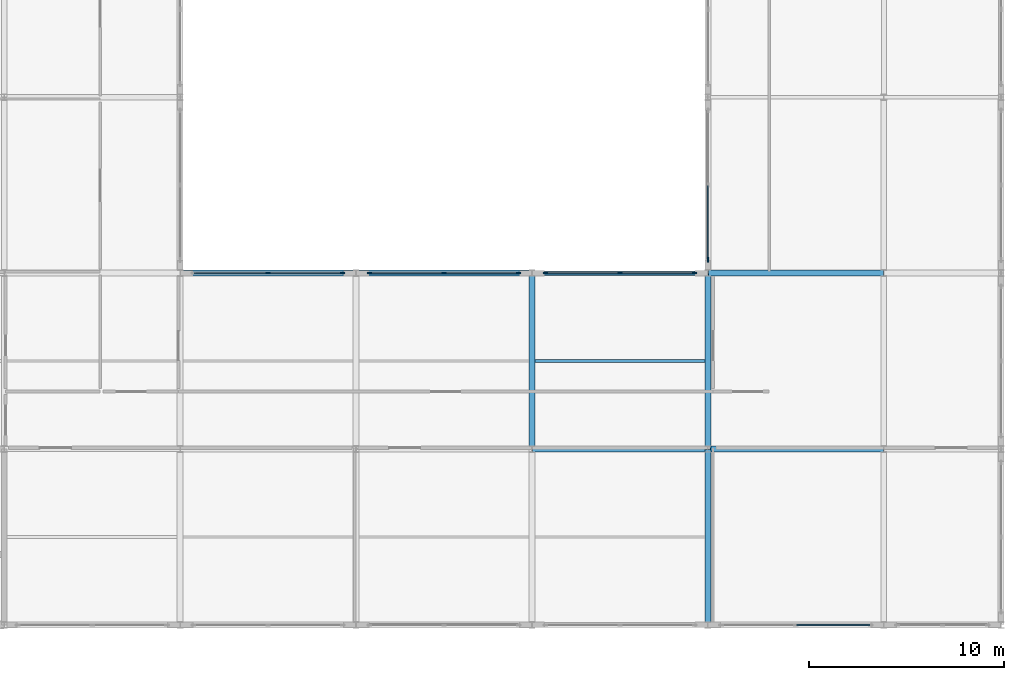
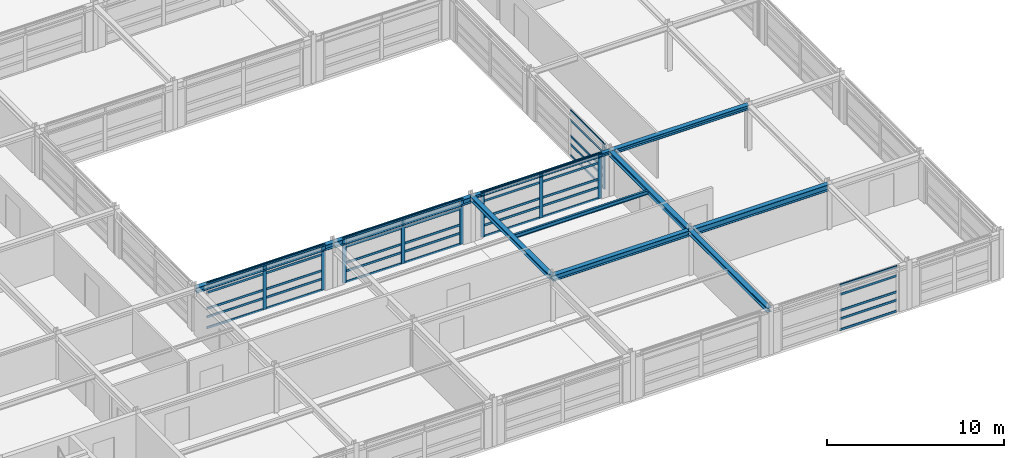
# One storey, part 50 of 91: 49 members, 10 beams, 5 elements without a shape of their own.
"""IFC4 building model written with IfcOpenShell, lengths in metres."""

from ifc_helpers import new_model, si_unit, direction, frame, origin, origin_2d, place, context, subcontext, project, spatial, rectangle, i_section, extrude, material, material_profile, profile_set, type_object, element, aggregate, save


model = new_model("IFC4")

# Units and contexts
model_context = context("Model", 3, precision=1e-05, world=origin(), true_north=direction((0.0, 1.0)))
body_context = subcontext(model_context, "Body", "Model", "MODEL_VIEW")
ifc_project = project(units=[si_unit("LENGTHUNIT", "METRE"), si_unit("AREAUNIT", "SQUARE_METRE"), si_unit("VOLUMEUNIT", "CUBIC_METRE"), si_unit("PLANEANGLEUNIT", "RADIAN"), si_unit("MASSUNIT", "GRAM", prefix="KILO")], contexts=[model_context])

# Site, building, storey
site_placement = place(None, origin())
site = spatial("IfcSite", under=ifc_project, at=site_placement, CompositionType="ELEMENT")
building_placement = place(site_placement, origin())
building = spatial("IfcBuilding", under=site, at=building_placement, Name="Palais des Congres Ocreval", CompositionType="ELEMENT")
storey_placement = place(building_placement, frame((0.0, 0.0, 8.159912109375)))
storey = spatial("IfcBuildingStorey", under=building, at=storey_placement, Name="L02", CompositionType="ELEMENT", Elevation=8.159912109375)

# Curtain wall, members
ifc_material_1 = material(Name="Anodized bronze aluminium and low-E glass", Category="glass")
curtain_wall_type = type_object("IfcCurtainWallType", Name="Unitised Curtain Wall 7900x3120", PredefinedType="USERDEFINED", material=ifc_material_1)
curtain_wall_1_placement = place(storey_placement, origin())
curtain_wall_1 = element("IfcCurtainWall", 1, at=curtain_wall_1_placement, inside=storey, type_object=curtain_wall_type, Name="Unitised Curtain Wall CW03 L02", ObjectType="UNITISED CURTAIN WALL", PredefinedType="USERDEFINED")
ifc_material_2 = material(Name="Anodized bronze aluminium", Category="aluminium")
ifc_material_profile_1 = material_profile(ifc_material_2, rectangle(XDim=0.074951171875, YDim=0.239990234375, at=origin_2d()), Name="ALU 75x240")
ifc_profile_set_1 = profile_set([ifc_material_profile_1], Name="Anodized bronze aluminium")
member_type_1 = type_object("IfcMemberType", Name="Curtain Wall Mullion ALU 75x240", PredefinedType="MULLION", material=ifc_profile_set_1)
member_1_placement = place(storey_placement, frame((130.5, 18.0, 0.0), z_axis=(0.0, 0.0, 1.0), x_axis=(0.0, 1.0, 0.0)))
member_1 = element("IfcMember", 2, at=member_1_placement, type_object=member_type_1, Name="Curtain Wall Mullion ML01", PredefinedType="MULLION", context=body_context, shape_type="SweptSolid", body=[
    extrude(rectangle(XDim=0.074951171875, YDim=0.239990234375, at=origin_2d()), origin(), (0.0, 0.0, 1.0), 3.110107421875),
])
member_2_placement = place(storey_placement, frame((134.3125, 18.0, 0.0), z_axis=(0.0, 0.0, 1.0), x_axis=(0.0, 1.0, 0.0)))
member_2 = element("IfcMember", 3, at=member_2_placement, type_object=member_type_1, Name="Curtain Wall Mullion ML01", PredefinedType="MULLION", context=body_context, shape_type="SweptSolid", body=[
    extrude(rectangle(XDim=0.074951171875, YDim=0.239990234375, at=origin_2d()), origin(), (0.0, 0.0, 1.0), 3.110107421875),
])

curtain_wall_2_placement = place(storey_placement, origin())
curtain_wall_2 = element("IfcCurtainWall", 4, at=curtain_wall_2_placement, inside=storey, type_object=curtain_wall_type, Name="Unitised Curtain Wall CW03 L02", ObjectType="UNITISED CURTAIN WALL", PredefinedType="USERDEFINED")
member_3_placement = place(storey_placement, frame((135.6875, 18.0, 0.0), z_axis=(0.0, 0.0, 1.0), x_axis=(0.0, 1.0, 0.0)))
member_3 = element("IfcMember", 5, at=member_3_placement, type_object=member_type_1, Name="Curtain Wall Mullion ML01", PredefinedType="MULLION", context=body_context, shape_type="SweptSolid", body=[
    extrude(rectangle(XDim=0.074951171875, YDim=0.239990234375, at=origin_2d()), origin(), (0.0, 0.0, 1.0), 3.110107421875),
])
member_4_placement = place(storey_placement, frame((139.5, 18.0, 0.0), z_axis=(0.0, 0.0, 1.0), x_axis=(0.0, 1.0, 0.0)))
member_4 = element("IfcMember", 6, at=member_4_placement, type_object=member_type_1, Name="Curtain Wall Mullion ML01", PredefinedType="MULLION", context=body_context, shape_type="SweptSolid", body=[
    extrude(rectangle(XDim=0.074951171875, YDim=0.239990234375, at=origin_2d()), origin(), (0.0, 0.0, 1.0), 3.110107421875),
])
member_5_placement = place(storey_placement, frame((143.3125, 18.0, 0.0), z_axis=(0.0, 0.0, 1.0), x_axis=(0.0, 1.0, 0.0)))
member_5 = element("IfcMember", 7, at=member_5_placement, type_object=member_type_1, Name="Curtain Wall Mullion ML01", PredefinedType="MULLION", context=body_context, shape_type="SweptSolid", body=[
    extrude(rectangle(XDim=0.074951171875, YDim=0.239990234375, at=origin_2d()), origin(), (0.0, 0.0, 1.0), 3.110107421875),
])

curtain_wall_3_placement = place(storey_placement, origin())
curtain_wall_3 = element("IfcCurtainWall", 8, at=curtain_wall_3_placement, inside=storey, type_object=curtain_wall_type, Name="Unitised Curtain Wall CW03 L02", ObjectType="UNITISED CURTAIN WALL", PredefinedType="USERDEFINED")
member_6_placement = place(storey_placement, frame((144.6875, 18.0, 0.0), z_axis=(0.0, 0.0, 1.0), x_axis=(0.0, 1.0, 0.0)))
member_6 = element("IfcMember", 9, at=member_6_placement, type_object=member_type_1, Name="Curtain Wall Mullion ML01", PredefinedType="MULLION", context=body_context, shape_type="SweptSolid", body=[
    extrude(rectangle(XDim=0.074951171875, YDim=0.239990234375, at=origin_2d()), origin(), (0.0, 0.0, 1.0), 3.110107421875),
])
member_7_placement = place(storey_placement, frame((148.5, 18.0, 0.0), z_axis=(0.0, 0.0, 1.0), x_axis=(0.0, 1.0, 0.0)))
member_7 = element("IfcMember", 10, at=member_7_placement, type_object=member_type_1, Name="Curtain Wall Mullion ML01", PredefinedType="MULLION", context=body_context, shape_type="SweptSolid", body=[
    extrude(rectangle(XDim=0.074951171875, YDim=0.239990234375, at=origin_2d()), origin(), (0.0, 0.0, 1.0), 3.110107421875),
])
member_8_placement = place(storey_placement, frame((152.3125, 18.0, 0.0), z_axis=(0.0, 0.0, 1.0), x_axis=(0.0, 1.0, 0.0)))
member_8 = element("IfcMember", 11, at=member_8_placement, type_object=member_type_1, Name="Curtain Wall Mullion ML01", PredefinedType="MULLION", context=body_context, shape_type="SweptSolid", body=[
    extrude(rectangle(XDim=0.074951171875, YDim=0.239990234375, at=origin_2d()), origin(), (0.0, 0.0, 1.0), 3.110107421875),
])

# Curtain wall, member
curtain_wall_4_placement = place(storey_placement, origin())
curtain_wall_4 = element("IfcCurtainWall", 12, at=curtain_wall_4_placement, inside=storey, type_object=curtain_wall_type, Name="Unitised Curtain Wall CW03 L02", ObjectType="UNITISED CURTAIN WALL", PredefinedType="USERDEFINED")
member_9_placement = place(storey_placement, frame((153.0, 18.6875, 0.0), z_axis=(0.0, 0.0, 1.0), x_axis=(-1.0, 0.0, 0.0)))
member_9 = element("IfcMember", 13, at=member_9_placement, type_object=member_type_1, Name="Curtain Wall Mullion ML01", PredefinedType="MULLION", context=body_context, shape_type="SweptSolid", body=[
    extrude(rectangle(XDim=0.074951171875, YDim=0.239990234375, at=origin_2d()), origin(), (0.0, 0.0, 1.0), 3.110107421875),
])

# Curtain wall, members
curtain_wall_5_placement = place(storey_placement, origin())
curtain_wall_5 = element("IfcCurtainWall", 14, at=curtain_wall_5_placement, inside=storey, type_object=curtain_wall_type, Name="Unitised Curtain Wall CW03 L02", ObjectType="UNITISED CURTAIN WALL", PredefinedType="USERDEFINED")
ifc_material_profile_2 = material_profile(ifc_material_2, rectangle(XDim=0.06005859375, YDim=0.14990234375, at=origin_2d()), Name="ALU 60x150")
ifc_profile_set_2 = profile_set([ifc_material_profile_2], Name="Anodized bronze aluminium")
member_type_2 = type_object("IfcMemberType", Name="Curtain Wall Transom ALU 60x150", PredefinedType="USERDEFINED", material=ifc_profile_set_2)
member_10_placement = place(storey_placement, frame((161.27490234375, 0.0, 0.030029296875), z_axis=(-1.0, 0.0, 0.0), x_axis=(0.0, -1.0, 0.0)))
member_10 = element("IfcMember", 15, at=member_10_placement, type_object=member_type_2, Name="Curtain Wall Transom TR01", ObjectType="TRANSOM", PredefinedType="USERDEFINED", context=body_context, shape_type="SweptSolid", body=[
    extrude(rectangle(XDim=0.06005859375, YDim=0.14990234375, at=origin_2d()), origin(), (0.0, 0.0, 1.0), 3.7373046875),
])
member_11_placement = place(storey_placement, frame((161.27490234375, 0.0, 0.780029296875), z_axis=(-1.0, 0.0, 0.0), x_axis=(0.0, -1.0, 0.0)))
member_11 = element("IfcMember", 16, at=member_11_placement, type_object=member_type_2, Name="Curtain Wall Transom TR01", ObjectType="TRANSOM", PredefinedType="USERDEFINED", context=body_context, shape_type="SweptSolid", body=[
    extrude(rectangle(XDim=0.06005859375, YDim=0.14990234375, at=origin_2d()), origin(), (0.0, 0.0, 1.0), 3.7373046875),
])
member_12_placement = place(storey_placement, frame((161.27490234375, 0.0, 1.35302734375), z_axis=(-1.0, 0.0, 0.0), x_axis=(0.0, -1.0, 0.0)))
member_12 = element("IfcMember", 17, at=member_12_placement, type_object=member_type_2, Name="Curtain Wall Transom TR01", ObjectType="TRANSOM", PredefinedType="USERDEFINED", context=body_context, shape_type="SweptSolid", body=[
    extrude(rectangle(XDim=0.06005859375, YDim=0.14990234375, at=origin_2d()), origin(), (0.0, 0.0, 1.0), 3.7373046875),
])
member_13_placement = place(storey_placement, frame((161.27490234375, 0.0, 2.460205078125), z_axis=(-1.0, 0.0, 0.0), x_axis=(0.0, -1.0, 0.0)))
member_13 = element("IfcMember", 18, at=member_13_placement, type_object=member_type_2, Name="Curtain Wall Transom TR01", ObjectType="TRANSOM", PredefinedType="USERDEFINED", context=body_context, shape_type="SweptSolid", body=[
    extrude(rectangle(XDim=0.06005859375, YDim=0.14990234375, at=origin_2d()), origin(), (0.0, 0.0, 1.0), 3.7373046875),
])
member_14_placement = place(storey_placement, frame((161.27490234375, 0.0, 3.080078125), z_axis=(-1.0, 0.0, 0.0), x_axis=(0.0, -1.0, 0.0)))
member_14 = element("IfcMember", 19, at=member_14_placement, type_object=member_type_2, Name="Curtain Wall Transom TR01", ObjectType="TRANSOM", PredefinedType="USERDEFINED", context=body_context, shape_type="SweptSolid", body=[
    extrude(rectangle(XDim=0.06005859375, YDim=0.14990234375, at=origin_2d()), origin(), (0.0, 0.0, 1.0), 3.7373046875),
])
aggregate(curtain_wall_5, [member_10, member_11, member_12, member_13, member_14])

# Member
member_15_placement = place(storey_placement, frame((126.72509765625, 18.0, 0.030029296875), z_axis=(1.0, 0.0, 0.0), x_axis=(0.0, 1.0, 0.0)))
member_15 = element("IfcMember", 20, at=member_15_placement, type_object=member_type_2, Name="Curtain Wall Transom TR01", ObjectType="TRANSOM", PredefinedType="USERDEFINED", context=body_context, shape_type="SweptSolid", body=[
    extrude(rectangle(XDim=0.06005859375, YDim=0.14990234375, at=origin_2d()), origin(), (0.0, 0.0, 1.0), 3.7373046875),
])

member_16_placement = place(storey_placement, frame((126.72509765625, 18.0, 0.780029296875), z_axis=(1.0, 0.0, 0.0), x_axis=(0.0, 1.0, 0.0)))
member_16 = element("IfcMember", 21, at=member_16_placement, type_object=member_type_2, Name="Curtain Wall Transom TR01", ObjectType="TRANSOM", PredefinedType="USERDEFINED", context=body_context, shape_type="SweptSolid", body=[
    extrude(rectangle(XDim=0.06005859375, YDim=0.14990234375, at=origin_2d()), origin(), (0.0, 0.0, 1.0), 3.7373046875),
])

member_17_placement = place(storey_placement, frame((126.72509765625, 18.0, 1.35302734375), z_axis=(1.0, 0.0, 0.0), x_axis=(0.0, 1.0, 0.0)))
member_17 = element("IfcMember", 22, at=member_17_placement, type_object=member_type_2, Name="Curtain Wall Transom TR01", ObjectType="TRANSOM", PredefinedType="USERDEFINED", context=body_context, shape_type="SweptSolid", body=[
    extrude(rectangle(XDim=0.06005859375, YDim=0.14990234375, at=origin_2d()), origin(), (0.0, 0.0, 1.0), 3.7373046875),
])

member_18_placement = place(storey_placement, frame((126.72509765625, 18.0, 2.460205078125), z_axis=(1.0, 0.0, 0.0), x_axis=(0.0, 1.0, 0.0)))
member_18 = element("IfcMember", 23, at=member_18_placement, type_object=member_type_2, Name="Curtain Wall Transom TR01", ObjectType="TRANSOM", PredefinedType="USERDEFINED", context=body_context, shape_type="SweptSolid", body=[
    extrude(rectangle(XDim=0.06005859375, YDim=0.14990234375, at=origin_2d()), origin(), (0.0, 0.0, 1.0), 3.7373046875),
])

member_19_placement = place(storey_placement, frame((126.72509765625, 18.0, 3.080078125), z_axis=(1.0, 0.0, 0.0), x_axis=(0.0, 1.0, 0.0)))
member_19 = element("IfcMember", 24, at=member_19_placement, type_object=member_type_2, Name="Curtain Wall Transom TR01", ObjectType="TRANSOM", PredefinedType="USERDEFINED", context=body_context, shape_type="SweptSolid", body=[
    extrude(rectangle(XDim=0.06005859375, YDim=0.14990234375, at=origin_2d()), origin(), (0.0, 0.0, 1.0), 3.7373046875),
])

member_20_placement = place(storey_placement, frame((130.53759765625, 18.0, 0.030029296875), z_axis=(1.0, 0.0, 0.0), x_axis=(0.0, 1.0, 0.0)))
member_20 = element("IfcMember", 25, at=member_20_placement, type_object=member_type_2, Name="Curtain Wall Transom TR01", ObjectType="TRANSOM", PredefinedType="USERDEFINED", context=body_context, shape_type="SweptSolid", body=[
    extrude(rectangle(XDim=0.06005859375, YDim=0.14990234375, at=origin_2d()), origin(), (0.0, 0.0, 1.0), 3.7373046875),
])

member_21_placement = place(storey_placement, frame((130.53759765625, 18.0, 0.780029296875), z_axis=(1.0, 0.0, 0.0), x_axis=(0.0, 1.0, 0.0)))
member_21 = element("IfcMember", 26, at=member_21_placement, type_object=member_type_2, Name="Curtain Wall Transom TR01", ObjectType="TRANSOM", PredefinedType="USERDEFINED", context=body_context, shape_type="SweptSolid", body=[
    extrude(rectangle(XDim=0.06005859375, YDim=0.14990234375, at=origin_2d()), origin(), (0.0, 0.0, 1.0), 3.7373046875),
])

member_22_placement = place(storey_placement, frame((130.53759765625, 18.0, 1.35302734375), z_axis=(1.0, 0.0, 0.0), x_axis=(0.0, 1.0, 0.0)))
member_22 = element("IfcMember", 27, at=member_22_placement, type_object=member_type_2, Name="Curtain Wall Transom TR01", ObjectType="TRANSOM", PredefinedType="USERDEFINED", context=body_context, shape_type="SweptSolid", body=[
    extrude(rectangle(XDim=0.06005859375, YDim=0.14990234375, at=origin_2d()), origin(), (0.0, 0.0, 1.0), 3.7373046875),
])

member_23_placement = place(storey_placement, frame((130.53759765625, 18.0, 2.460205078125), z_axis=(1.0, 0.0, 0.0), x_axis=(0.0, 1.0, 0.0)))
member_23 = element("IfcMember", 28, at=member_23_placement, type_object=member_type_2, Name="Curtain Wall Transom TR01", ObjectType="TRANSOM", PredefinedType="USERDEFINED", context=body_context, shape_type="SweptSolid", body=[
    extrude(rectangle(XDim=0.06005859375, YDim=0.14990234375, at=origin_2d()), origin(), (0.0, 0.0, 1.0), 3.7373046875),
])

member_24_placement = place(storey_placement, frame((130.53759765625, 18.0, 3.080078125), z_axis=(1.0, 0.0, 0.0), x_axis=(0.0, 1.0, 0.0)))
member_24 = element("IfcMember", 29, at=member_24_placement, type_object=member_type_2, Name="Curtain Wall Transom TR01", ObjectType="TRANSOM", PredefinedType="USERDEFINED", context=body_context, shape_type="SweptSolid", body=[
    extrude(rectangle(XDim=0.06005859375, YDim=0.14990234375, at=origin_2d()), origin(), (0.0, 0.0, 1.0), 3.7373046875),
])

aggregate(curtain_wall_1, [member_1, member_2, member_15, member_16, member_17, member_18, member_19, member_20, member_21, member_22, member_23, member_24])

member_25_placement = place(storey_placement, frame((135.72509765625, 18.0, 0.030029296875), z_axis=(1.0, 0.0, 0.0), x_axis=(0.0, 1.0, 0.0)))
member_25 = element("IfcMember", 30, at=member_25_placement, type_object=member_type_2, Name="Curtain Wall Transom TR01", ObjectType="TRANSOM", PredefinedType="USERDEFINED", context=body_context, shape_type="SweptSolid", body=[
    extrude(rectangle(XDim=0.06005859375, YDim=0.14990234375, at=origin_2d()), origin(), (0.0, 0.0, 1.0), 3.7373046875),
])

member_26_placement = place(storey_placement, frame((135.72509765625, 18.0, 0.780029296875), z_axis=(1.0, 0.0, 0.0), x_axis=(0.0, 1.0, 0.0)))
member_26 = element("IfcMember", 31, at=member_26_placement, type_object=member_type_2, Name="Curtain Wall Transom TR01", ObjectType="TRANSOM", PredefinedType="USERDEFINED", context=body_context, shape_type="SweptSolid", body=[
    extrude(rectangle(XDim=0.06005859375, YDim=0.14990234375, at=origin_2d()), origin(), (0.0, 0.0, 1.0), 3.7373046875),
])

member_27_placement = place(storey_placement, frame((135.72509765625, 18.0, 1.35302734375), z_axis=(1.0, 0.0, 0.0), x_axis=(0.0, 1.0, 0.0)))
member_27 = element("IfcMember", 32, at=member_27_placement, type_object=member_type_2, Name="Curtain Wall Transom TR01", ObjectType="TRANSOM", PredefinedType="USERDEFINED", context=body_context, shape_type="SweptSolid", body=[
    extrude(rectangle(XDim=0.06005859375, YDim=0.14990234375, at=origin_2d()), origin(), (0.0, 0.0, 1.0), 3.7373046875),
])

member_28_placement = place(storey_placement, frame((135.72509765625, 18.0, 2.460205078125), z_axis=(1.0, 0.0, 0.0), x_axis=(0.0, 1.0, 0.0)))
member_28 = element("IfcMember", 33, at=member_28_placement, type_object=member_type_2, Name="Curtain Wall Transom TR01", ObjectType="TRANSOM", PredefinedType="USERDEFINED", context=body_context, shape_type="SweptSolid", body=[
    extrude(rectangle(XDim=0.06005859375, YDim=0.14990234375, at=origin_2d()), origin(), (0.0, 0.0, 1.0), 3.7373046875),
])

member_29_placement = place(storey_placement, frame((135.72509765625, 18.0, 3.080078125), z_axis=(1.0, 0.0, 0.0), x_axis=(0.0, 1.0, 0.0)))
member_29 = element("IfcMember", 34, at=member_29_placement, type_object=member_type_2, Name="Curtain Wall Transom TR01", ObjectType="TRANSOM", PredefinedType="USERDEFINED", context=body_context, shape_type="SweptSolid", body=[
    extrude(rectangle(XDim=0.06005859375, YDim=0.14990234375, at=origin_2d()), origin(), (0.0, 0.0, 1.0), 3.7373046875),
])

member_30_placement = place(storey_placement, frame((139.53759765625, 18.0, 0.030029296875), z_axis=(1.0, 0.0, 0.0), x_axis=(0.0, 1.0, 0.0)))
member_30 = element("IfcMember", 35, at=member_30_placement, type_object=member_type_2, Name="Curtain Wall Transom TR01", ObjectType="TRANSOM", PredefinedType="USERDEFINED", context=body_context, shape_type="SweptSolid", body=[
    extrude(rectangle(XDim=0.06005859375, YDim=0.14990234375, at=origin_2d()), origin(), (0.0, 0.0, 1.0), 3.7373046875),
])

member_31_placement = place(storey_placement, frame((139.53759765625, 18.0, 0.780029296875), z_axis=(1.0, 0.0, 0.0), x_axis=(0.0, 1.0, 0.0)))
member_31 = element("IfcMember", 36, at=member_31_placement, type_object=member_type_2, Name="Curtain Wall Transom TR01", ObjectType="TRANSOM", PredefinedType="USERDEFINED", context=body_context, shape_type="SweptSolid", body=[
    extrude(rectangle(XDim=0.06005859375, YDim=0.14990234375, at=origin_2d()), origin(), (0.0, 0.0, 1.0), 3.7373046875),
])

member_32_placement = place(storey_placement, frame((139.53759765625, 18.0, 1.35302734375), z_axis=(1.0, 0.0, 0.0), x_axis=(0.0, 1.0, 0.0)))
member_32 = element("IfcMember", 37, at=member_32_placement, type_object=member_type_2, Name="Curtain Wall Transom TR01", ObjectType="TRANSOM", PredefinedType="USERDEFINED", context=body_context, shape_type="SweptSolid", body=[
    extrude(rectangle(XDim=0.06005859375, YDim=0.14990234375, at=origin_2d()), origin(), (0.0, 0.0, 1.0), 3.7373046875),
])

member_33_placement = place(storey_placement, frame((139.53759765625, 18.0, 2.460205078125), z_axis=(1.0, 0.0, 0.0), x_axis=(0.0, 1.0, 0.0)))
member_33 = element("IfcMember", 38, at=member_33_placement, type_object=member_type_2, Name="Curtain Wall Transom TR01", ObjectType="TRANSOM", PredefinedType="USERDEFINED", context=body_context, shape_type="SweptSolid", body=[
    extrude(rectangle(XDim=0.06005859375, YDim=0.14990234375, at=origin_2d()), origin(), (0.0, 0.0, 1.0), 3.7373046875),
])

member_34_placement = place(storey_placement, frame((139.53759765625, 18.0, 3.080078125), z_axis=(1.0, 0.0, 0.0), x_axis=(0.0, 1.0, 0.0)))
member_34 = element("IfcMember", 39, at=member_34_placement, type_object=member_type_2, Name="Curtain Wall Transom TR01", ObjectType="TRANSOM", PredefinedType="USERDEFINED", context=body_context, shape_type="SweptSolid", body=[
    extrude(rectangle(XDim=0.06005859375, YDim=0.14990234375, at=origin_2d()), origin(), (0.0, 0.0, 1.0), 3.7373046875),
])

aggregate(curtain_wall_2, [member_3, member_4, member_5, member_25, member_26, member_27, member_28, member_29, member_30, member_31, member_32, member_33, member_34])

member_35_placement = place(storey_placement, frame((144.72509765625, 18.0, 0.030029296875), z_axis=(1.0, 0.0, 0.0), x_axis=(0.0, 1.0, 0.0)))
member_35 = element("IfcMember", 40, at=member_35_placement, type_object=member_type_2, Name="Curtain Wall Transom TR01", ObjectType="TRANSOM", PredefinedType="USERDEFINED", context=body_context, shape_type="SweptSolid", body=[
    extrude(rectangle(XDim=0.06005859375, YDim=0.14990234375, at=origin_2d()), origin(), (0.0, 0.0, 1.0), 3.7373046875),
])

member_36_placement = place(storey_placement, frame((144.72509765625, 18.0, 0.780029296875), z_axis=(1.0, 0.0, 0.0), x_axis=(0.0, 1.0, 0.0)))
member_36 = element("IfcMember", 41, at=member_36_placement, type_object=member_type_2, Name="Curtain Wall Transom TR01", ObjectType="TRANSOM", PredefinedType="USERDEFINED", context=body_context, shape_type="SweptSolid", body=[
    extrude(rectangle(XDim=0.06005859375, YDim=0.14990234375, at=origin_2d()), origin(), (0.0, 0.0, 1.0), 3.7373046875),
])

member_37_placement = place(storey_placement, frame((144.72509765625, 18.0, 1.35302734375), z_axis=(1.0, 0.0, 0.0), x_axis=(0.0, 1.0, 0.0)))
member_37 = element("IfcMember", 42, at=member_37_placement, type_object=member_type_2, Name="Curtain Wall Transom TR01", ObjectType="TRANSOM", PredefinedType="USERDEFINED", context=body_context, shape_type="SweptSolid", body=[
    extrude(rectangle(XDim=0.06005859375, YDim=0.14990234375, at=origin_2d()), origin(), (0.0, 0.0, 1.0), 3.7373046875),
])

member_38_placement = place(storey_placement, frame((144.72509765625, 18.0, 2.460205078125), z_axis=(1.0, 0.0, 0.0), x_axis=(0.0, 1.0, 0.0)))
member_38 = element("IfcMember", 43, at=member_38_placement, type_object=member_type_2, Name="Curtain Wall Transom TR01", ObjectType="TRANSOM", PredefinedType="USERDEFINED", context=body_context, shape_type="SweptSolid", body=[
    extrude(rectangle(XDim=0.06005859375, YDim=0.14990234375, at=origin_2d()), origin(), (0.0, 0.0, 1.0), 3.7373046875),
])

member_39_placement = place(storey_placement, frame((144.72509765625, 18.0, 3.080078125), z_axis=(1.0, 0.0, 0.0), x_axis=(0.0, 1.0, 0.0)))
member_39 = element("IfcMember", 44, at=member_39_placement, type_object=member_type_2, Name="Curtain Wall Transom TR01", ObjectType="TRANSOM", PredefinedType="USERDEFINED", context=body_context, shape_type="SweptSolid", body=[
    extrude(rectangle(XDim=0.06005859375, YDim=0.14990234375, at=origin_2d()), origin(), (0.0, 0.0, 1.0), 3.7373046875),
])

member_40_placement = place(storey_placement, frame((148.53759765625, 18.0, 0.030029296875), z_axis=(1.0, 0.0, 0.0), x_axis=(0.0, 1.0, 0.0)))
member_40 = element("IfcMember", 45, at=member_40_placement, type_object=member_type_2, Name="Curtain Wall Transom TR01", ObjectType="TRANSOM", PredefinedType="USERDEFINED", context=body_context, shape_type="SweptSolid", body=[
    extrude(rectangle(XDim=0.06005859375, YDim=0.14990234375, at=origin_2d()), origin(), (0.0, 0.0, 1.0), 3.7373046875),
])

member_41_placement = place(storey_placement, frame((148.53759765625, 18.0, 0.780029296875), z_axis=(1.0, 0.0, 0.0), x_axis=(0.0, 1.0, 0.0)))
member_41 = element("IfcMember", 46, at=member_41_placement, type_object=member_type_2, Name="Curtain Wall Transom TR01", ObjectType="TRANSOM", PredefinedType="USERDEFINED", context=body_context, shape_type="SweptSolid", body=[
    extrude(rectangle(XDim=0.06005859375, YDim=0.14990234375, at=origin_2d()), origin(), (0.0, 0.0, 1.0), 3.7373046875),
])

member_42_placement = place(storey_placement, frame((148.53759765625, 18.0, 1.35302734375), z_axis=(1.0, 0.0, 0.0), x_axis=(0.0, 1.0, 0.0)))
member_42 = element("IfcMember", 47, at=member_42_placement, type_object=member_type_2, Name="Curtain Wall Transom TR01", ObjectType="TRANSOM", PredefinedType="USERDEFINED", context=body_context, shape_type="SweptSolid", body=[
    extrude(rectangle(XDim=0.06005859375, YDim=0.14990234375, at=origin_2d()), origin(), (0.0, 0.0, 1.0), 3.7373046875),
])

member_43_placement = place(storey_placement, frame((148.53759765625, 18.0, 2.460205078125), z_axis=(1.0, 0.0, 0.0), x_axis=(0.0, 1.0, 0.0)))
member_43 = element("IfcMember", 48, at=member_43_placement, type_object=member_type_2, Name="Curtain Wall Transom TR01", ObjectType="TRANSOM", PredefinedType="USERDEFINED", context=body_context, shape_type="SweptSolid", body=[
    extrude(rectangle(XDim=0.06005859375, YDim=0.14990234375, at=origin_2d()), origin(), (0.0, 0.0, 1.0), 3.7373046875),
])

member_44_placement = place(storey_placement, frame((148.53759765625, 18.0, 3.080078125), z_axis=(1.0, 0.0, 0.0), x_axis=(0.0, 1.0, 0.0)))
member_44 = element("IfcMember", 49, at=member_44_placement, type_object=member_type_2, Name="Curtain Wall Transom TR01", ObjectType="TRANSOM", PredefinedType="USERDEFINED", context=body_context, shape_type="SweptSolid", body=[
    extrude(rectangle(XDim=0.06005859375, YDim=0.14990234375, at=origin_2d()), origin(), (0.0, 0.0, 1.0), 3.7373046875),
])

aggregate(curtain_wall_3, [member_6, member_7, member_8, member_35, member_36, member_37, member_38, member_39, member_40, member_41, member_42, member_43, member_44])

member_45_placement = place(storey_placement, frame((153.0, 18.72509765625, 0.030029296875), z_axis=(0.0, 1.0, 0.0), x_axis=(-1.0, 0.0, 0.0)))
member_45 = element("IfcMember", 50, at=member_45_placement, type_object=member_type_2, Name="Curtain Wall Transom TR01", ObjectType="TRANSOM", PredefinedType="USERDEFINED", context=body_context, shape_type="SweptSolid", body=[
    extrude(rectangle(XDim=0.06005859375, YDim=0.14990234375, at=origin_2d()), origin(), (0.0, 0.0, 1.0), 3.7373046875),
])

member_46_placement = place(storey_placement, frame((153.0, 18.72509765625, 0.780029296875), z_axis=(0.0, 1.0, 0.0), x_axis=(-1.0, 0.0, 0.0)))
member_46 = element("IfcMember", 51, at=member_46_placement, type_object=member_type_2, Name="Curtain Wall Transom TR01", ObjectType="TRANSOM", PredefinedType="USERDEFINED", context=body_context, shape_type="SweptSolid", body=[
    extrude(rectangle(XDim=0.06005859375, YDim=0.14990234375, at=origin_2d()), origin(), (0.0, 0.0, 1.0), 3.7373046875),
])

member_47_placement = place(storey_placement, frame((153.0, 18.72509765625, 1.35302734375), z_axis=(0.0, 1.0, 0.0), x_axis=(-1.0, 0.0, 0.0)))
member_47 = element("IfcMember", 52, at=member_47_placement, type_object=member_type_2, Name="Curtain Wall Transom TR01", ObjectType="TRANSOM", PredefinedType="USERDEFINED", context=body_context, shape_type="SweptSolid", body=[
    extrude(rectangle(XDim=0.06005859375, YDim=0.14990234375, at=origin_2d()), origin(), (0.0, 0.0, 1.0), 3.7373046875),
])

member_48_placement = place(storey_placement, frame((153.0, 18.72509765625, 2.460205078125), z_axis=(0.0, 1.0, 0.0), x_axis=(-1.0, 0.0, 0.0)))
member_48 = element("IfcMember", 53, at=member_48_placement, type_object=member_type_2, Name="Curtain Wall Transom TR01", ObjectType="TRANSOM", PredefinedType="USERDEFINED", context=body_context, shape_type="SweptSolid", body=[
    extrude(rectangle(XDim=0.06005859375, YDim=0.14990234375, at=origin_2d()), origin(), (0.0, 0.0, 1.0), 3.7373046875),
])

member_49_placement = place(storey_placement, frame((153.0, 18.72509765625, 3.080078125), z_axis=(0.0, 1.0, 0.0), x_axis=(-1.0, 0.0, 0.0)))
member_49 = element("IfcMember", 54, at=member_49_placement, type_object=member_type_2, Name="Curtain Wall Transom TR01", ObjectType="TRANSOM", PredefinedType="USERDEFINED", context=body_context, shape_type="SweptSolid", body=[
    extrude(rectangle(XDim=0.06005859375, YDim=0.14990234375, at=origin_2d()), origin(), (0.0, 0.0, 1.0), 3.7373046875),
])

aggregate(curtain_wall_4, [member_9, member_45, member_46, member_47, member_48, member_49])

# Beams
ifc_material_3 = material(Name="Steel S355", Category="steel")
ifc_material_profile_3 = material_profile(ifc_material_3, i_section(OverallWidth=0.239990234375, OverallDepth=0.22998046875, WebThickness=0.007568359375, FlangeThickness=0.011962890625, at=origin_2d()), Name="HEA 240")
ifc_profile_set_3 = profile_set([ifc_material_profile_3], Name="Steel S355")
beam_type_1 = type_object("IfcBeamType", Name="Perimeter Spandrel HEA 240 Steel S355", PredefinedType="SPANDREL", material=ifc_profile_set_3)
beam_1_placement = place(storey_placement, frame((144.02001953125, 18.0, 2.985107421875), z_axis=(1.0, 0.0, 0.0), x_axis=(0.0, 1.0, 0.0)))
element("IfcBeam", 55, at=beam_1_placement, inside=storey, type_object=beam_type_1, Name="Beam SP01 L02", PredefinedType="SPANDREL", context=body_context, shape_type="SweptSolid", body=[
    extrude(i_section(OverallWidth=0.239990234375, OverallDepth=0.22998046875, WebThickness=0.007568359375, FlangeThickness=0.011962890625, at=origin_2d()), origin(), (0.0, 0.0, 1.0), 8.9599609375),
])
ifc_material_profile_4 = material_profile(ifc_material_3, i_section(OverallWidth=0.300048828125, OverallDepth=0.300048828125, WebThickness=0.010986328125, FlangeThickness=0.01904296875, at=origin_2d()), Name="HEB 300")
ifc_profile_set_4 = profile_set([ifc_material_profile_4], Name="Steel S355")
beam_type_2 = type_object("IfcBeamType", Name="Perimeter Spandrel HEB 300 Steel S355", PredefinedType="SPANDREL", material=ifc_profile_set_4)
beam_2_placement = place(storey_placement, frame((153.02001953125, 18.0, 2.9501953125), z_axis=(1.0, 0.0, 0.0), x_axis=(0.0, 1.0, 0.0)))
element("IfcBeam", 56, at=beam_2_placement, inside=storey, type_object=beam_type_2, Name="Beam SP02 L02", PredefinedType="SPANDREL", context=body_context, shape_type="SweptSolid", body=[
    extrude(i_section(OverallWidth=0.300048828125, OverallDepth=0.300048828125, WebThickness=0.010986328125, FlangeThickness=0.01904296875, at=origin_2d()), origin(), (0.0, 0.0, 1.0), 8.9599609375),
])
ifc_material_profile_5 = material_profile(ifc_material_3, i_section(OverallWidth=0.300048828125, OverallDepth=0.360107421875, WebThickness=0.012451171875, FlangeThickness=0.0224609375, at=origin_2d()), Name="HEB 360")
ifc_profile_set_5 = profile_set([ifc_material_profile_5], Name="Steel S355")
beam_type_3 = type_object("IfcBeamType", Name="Perimeter Spandrel HEB 360 Steel S355", PredefinedType="SPANDREL", material=ifc_profile_set_5)
beam_3_placement = place(storey_placement, frame((126.02001953125, 18.0, 2.920166015625), z_axis=(1.0, 0.0, 0.0), x_axis=(0.0, 1.0, 0.0)))
element("IfcBeam", 57, at=beam_3_placement, inside=storey, type_object=beam_type_3, Name="Beam SP03 L02", PredefinedType="SPANDREL", context=body_context, shape_type="SweptSolid", body=[
    extrude(i_section(OverallWidth=0.300048828125, OverallDepth=0.360107421875, WebThickness=0.012451171875, FlangeThickness=0.0224609375, at=origin_2d()), origin(), (0.0, 0.0, 1.0), 8.9599609375),
])
ifc_material_profile_6 = material_profile(ifc_material_3, i_section(OverallWidth=0.300048828125, OverallDepth=0.39990234375, WebThickness=0.013427734375, FlangeThickness=0.02392578125, at=origin_2d()), Name="HEB 400")
ifc_profile_set_6 = profile_set([ifc_material_profile_6], Name="Steel S355")
beam_type_4 = type_object("IfcBeamType", Name="Perimeter Spandrel HEB 400 Steel S355", PredefinedType="SPANDREL", material=ifc_profile_set_6)
beam_4_placement = place(storey_placement, frame((135.02001953125, 18.0, 2.900146484375), z_axis=(1.0, 0.0, 0.0), x_axis=(0.0, 1.0, 0.0)))
element("IfcBeam", 58, at=beam_4_placement, inside=storey, type_object=beam_type_4, Name="Beam SP04 L02", PredefinedType="SPANDREL", context=body_context, shape_type="SweptSolid", body=[
    extrude(i_section(OverallWidth=0.300048828125, OverallDepth=0.39990234375, WebThickness=0.013427734375, FlangeThickness=0.02392578125, at=origin_2d()), origin(), (0.0, 0.0, 1.0), 8.9599609375),
])
ifc_material_profile_7 = material_profile(ifc_material_3, i_section(OverallWidth=0.300048828125, OverallDepth=0.2900390625, WebThickness=0.008544921875, FlangeThickness=0.013916015625, at=origin_2d()), Name="HEA 300")
ifc_profile_set_7 = profile_set([ifc_material_profile_7], Name="Steel S355")
beam_type_5 = type_object("IfcBeamType", Name="Primary Beam HEA 300 Steel S355", PredefinedType="BEAM", material=ifc_profile_set_7)
for number, where, z_axis, x_axis, name in (
    (59, (144.0, 9.02001953125, 2.955078125), (0.0, 1.0, 0.0), (-1.0, 0.0, 0.0), "Girder B08 L02"),
    (60, (153.0, 0.02001953125, 2.955078125), (0.0, 1.0, 0.0), (-1.0, 0.0, 0.0), "Girder B08 L02"),
):
    element("IfcBeam", number, at=place(storey_placement, frame(where, z_axis=z_axis, x_axis=x_axis)), inside=storey, type_object=beam_type_5, Name=name, PredefinedType="BEAM", context=body_context, shape_type="SweptSolid", body=[
        extrude(i_section(OverallWidth=0.300048828125, OverallDepth=0.2900390625, WebThickness=0.008544921875, FlangeThickness=0.013916015625, at=origin_2d()), origin(), (0.0, 0.0, 1.0), 8.9599609375),
    ])
ifc_material_profile_8 = material_profile(ifc_material_3, i_section(OverallWidth=0.300048828125, OverallDepth=0.330078125, WebThickness=0.009521484375, FlangeThickness=0.0166015625, at=origin_2d()), Name="HEA 340")
ifc_profile_set_8 = profile_set([ifc_material_profile_8], Name="Steel S355")
beam_type_6 = type_object("IfcBeamType", Name="Primary Beam HEA 340 Steel S355", PredefinedType="BEAM", material=ifc_profile_set_8)
beam_5_placement = place(storey_placement, frame((153.0, 9.02001953125, 2.93505859375), z_axis=(0.0, 1.0, 0.0), x_axis=(-1.0, 0.0, 0.0)))
element("IfcBeam", 61, at=beam_5_placement, inside=storey, type_object=beam_type_6, Name="Girder B09 L02", PredefinedType="BEAM", context=body_context, shape_type="SweptSolid", body=[
    extrude(i_section(OverallWidth=0.300048828125, OverallDepth=0.330078125, WebThickness=0.009521484375, FlangeThickness=0.0166015625, at=origin_2d()), origin(), (0.0, 0.0, 1.0), 8.9599609375),
])
ifc_material_profile_9 = material_profile(ifc_material_3, i_section(OverallWidth=0.300048828125, OverallDepth=0.389892578125, WebThickness=0.010986328125, FlangeThickness=0.01904296875, at=origin_2d()), Name="HEA 400")
ifc_profile_set_9 = profile_set([ifc_material_profile_9], Name="Steel S355")
beam_type_7 = type_object("IfcBeamType", Name="Primary Beam HEA 400 Steel S355", PredefinedType="BEAM", material=ifc_profile_set_9)
beam_6_placement = place(storey_placement, frame((144.02001953125, 9.0, 2.905029296875), z_axis=(1.0, 0.0, 0.0), x_axis=(0.0, 1.0, 0.0)))
element("IfcBeam", 62, at=beam_6_placement, inside=storey, type_object=beam_type_7, Name="Beam B10 L02", PredefinedType="BEAM", context=body_context, shape_type="SweptSolid", body=[
    extrude(i_section(OverallWidth=0.300048828125, OverallDepth=0.389892578125, WebThickness=0.010986328125, FlangeThickness=0.01904296875, at=origin_2d()), origin(), (0.0, 0.0, 1.0), 8.9599609375),
])
ifc_material_profile_10 = material_profile(ifc_material_3, i_section(OverallWidth=0.300048828125, OverallDepth=0.43994140625, WebThickness=0.011474609375, FlangeThickness=0.02099609375, at=origin_2d()), Name="HEA 450")
ifc_profile_set_10 = profile_set([ifc_material_profile_10], Name="Steel S355")
beam_type_8 = type_object("IfcBeamType", Name="Primary Beam HEA 450 Steel S355", PredefinedType="BEAM", material=ifc_profile_set_10)
beam_7_placement = place(storey_placement, frame((153.02001953125, 9.0, 2.880126953125), z_axis=(1.0, 0.0, 0.0), x_axis=(0.0, 1.0, 0.0)))
element("IfcBeam", 63, at=beam_7_placement, inside=storey, type_object=beam_type_8, Name="Beam B11 L02", PredefinedType="BEAM", context=body_context, shape_type="SweptSolid", body=[
    extrude(i_section(OverallWidth=0.300048828125, OverallDepth=0.43994140625, WebThickness=0.011474609375, FlangeThickness=0.02099609375, at=origin_2d()), origin(), (0.0, 0.0, 1.0), 8.9599609375),
])
ifc_material_profile_11 = material_profile(ifc_material_3, i_section(OverallWidth=0.135009765625, OverallDepth=0.27001953125, WebThickness=0.006591796875, FlangeThickness=0.01025390625, at=origin_2d()), Name="IPE 270")
ifc_profile_set_11 = profile_set([ifc_material_profile_11], Name="Steel S355")
beam_type_9 = type_object("IfcBeamType", Name="Secondary Joist IPE 270 Steel S355", PredefinedType="JOIST", material=ifc_profile_set_11)
beam_8_placement = place(storey_placement, frame((144.14990234375, 13.5, 2.965087890625), z_axis=(1.0, 0.0, 0.0), x_axis=(0.0, 1.0, 0.0)))
element("IfcBeam", 64, at=beam_8_placement, inside=storey, type_object=beam_type_9, Name="Secondary Joist J04 L02", PredefinedType="JOIST", context=body_context, shape_type="SweptSolid", body=[
    extrude(i_section(OverallWidth=0.135009765625, OverallDepth=0.27001953125, WebThickness=0.006591796875, FlangeThickness=0.01025390625, at=origin_2d()), origin(), (0.0, 0.0, 1.0), 8.7001953125),
])

save(model, "model.ifc")
